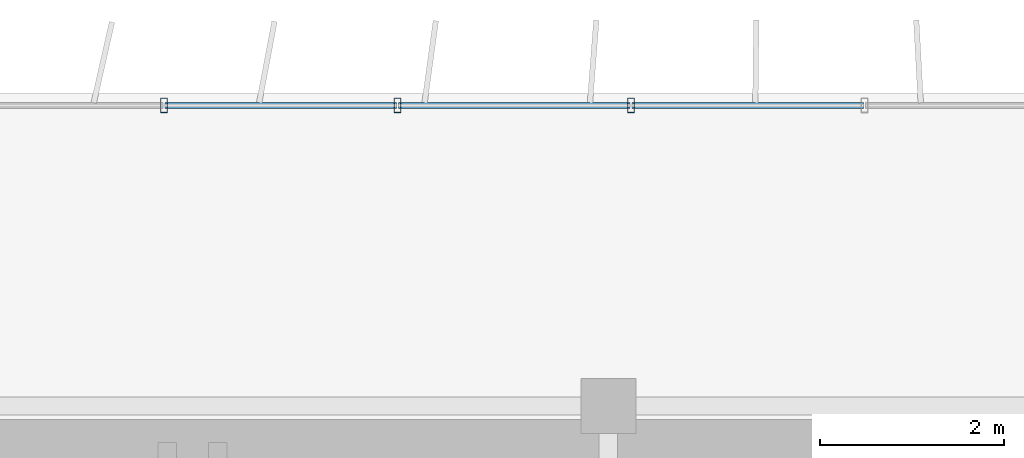
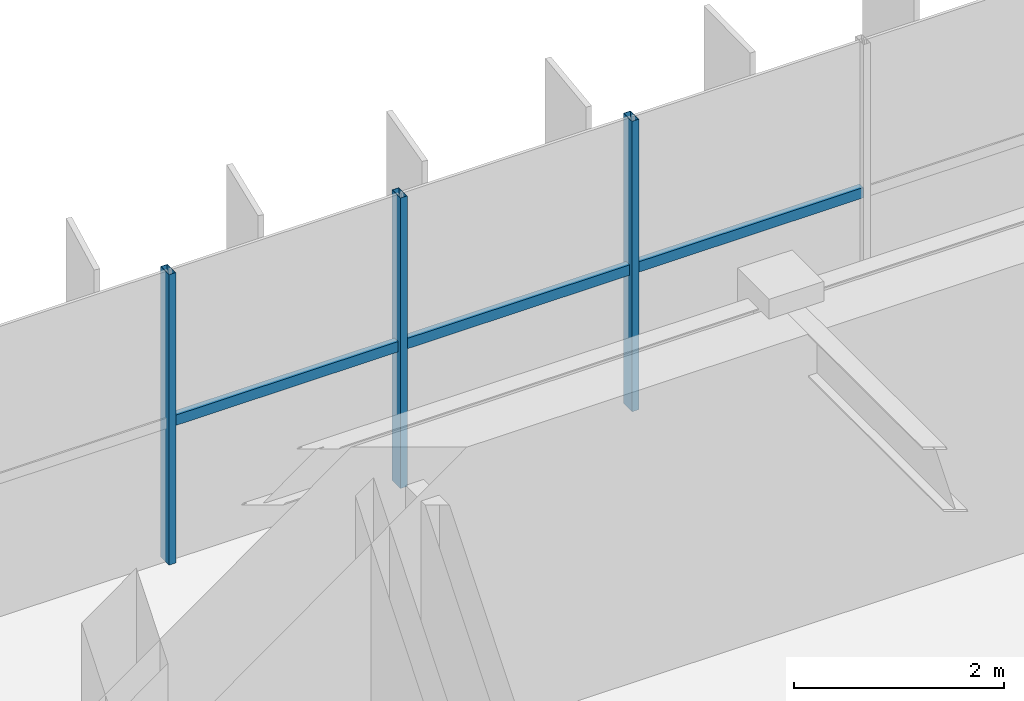
# One storey, part 8 of 21: 6 members, 1 element without a shape of its own.
"""IFC4 building model written with IfcOpenShell, lengths in metres."""

from ifc_helpers import new_model, si_unit, direction, frame, origin, origin_2d, place, context, subcontext, project, spatial, hollow_rectangle, extrude, source, transform, mapped, material, material_profile, profile_set, type_object, element, aggregate, save


model = new_model("IFC4")

# Units and contexts
model_context = context("Model", 3, precision=1e-05, world=origin(), true_north=direction((0.0, 1.0)))
body_context = subcontext(model_context, "Body", "Model", "MODEL_VIEW")
ifc_project = project(units=[si_unit("LENGTHUNIT", "METRE"), si_unit("AREAUNIT", "SQUARE_METRE"), si_unit("VOLUMEUNIT", "CUBIC_METRE"), si_unit("PLANEANGLEUNIT", "RADIAN"), si_unit("MASSUNIT", "GRAM", prefix="KILO")], contexts=[model_context])

# Site, building, storey
site_placement = place(None, origin())
site = spatial("IfcSite", under=ifc_project, at=site_placement, CompositionType="ELEMENT")
building_placement = place(site_placement, origin())
building = spatial("IfcBuilding", under=site, at=building_placement, Name="Trelvane Seafront Commons", CompositionType="ELEMENT")
storey_placement = place(building_placement, frame((0.0, 0.0, 252.300048828125)))
storey = spatial("IfcBuildingStorey", under=building, at=storey_placement, Name="L65", CompositionType="ELEMENT", Elevation=252.300048828125)

# Curtain wall, members
ifc_material = material(Name="Anodised pale-silver aluminium", Category="aluminium")
curtain_wall_type = type_object("IfcCurtainWallType", Name="ARCH-CW5-UPTOWER", PredefinedType="NOTDEFINED", material=ifc_material)
curtain_wall_placement = place(storey_placement, origin())
curtain_wall = element("IfcCurtainWall", 1, at=curtain_wall_placement, inside=storey, type_object=curtain_wall_type, Name="CW-L65-0109", PredefinedType="NOTDEFINED")
ifc_material_profile_1 = material_profile(ifc_material, hollow_rectangle(XDim=0.070068359375, YDim=0.1201171875, WallThickness=0.00390625, at=origin_2d()), Name="TRAN-70x120x4")
ifc_profile_set_1 = profile_set([ifc_material_profile_1], Name="Anodised pale-silver aluminium")
member_type_1 = type_object("IfcMemberType", Name="ARCH-CW-TRAN-120", PredefinedType="USERDEFINED", material=ifc_profile_set_1)
shared_shape_1 = source(origin(), body_context, "Body", "SweptSolid", [
    extrude(hollow_rectangle(XDim=0.070068359375, YDim=0.1201171875, WallThickness=0.00390625, at=origin_2d()), origin(), (0.0, 0.0, 1.0), 2.51708984375),
])
member_1_placement = place(storey_placement, frame((30.859130859375, 48.3701171875, 1.617919921875), z_axis=(1.0, 0.0, 0.0), x_axis=(0.0, 1.0, 0.0)))
member_1 = element("IfcMember", 2, at=member_1_placement, type_object=member_type_1, Name="CW-L65-0109-T06", ObjectType="TRANSOM", PredefinedType="USERDEFINED", context=body_context, shape_type="MappedRepresentation", body=[
    mapped(shared_shape_1, transform((0.0, 0.0, 0.0), x_axis=(1.0, 0.0, 0.0), y_axis=(0.0, 1.0, 0.0), z_axis=(0.0, 0.0, 1.0), scale=1.0)),
])
shared_shape_2 = source(origin(), body_context, "Body", "SweptSolid", [
    extrude(hollow_rectangle(XDim=0.070068359375, YDim=0.1201171875, WallThickness=0.00390625, at=origin_2d()), origin(), (0.0, 0.0, 1.0), 2.517333984375),
])
member_2_placement = place(storey_placement, frame((25.776611328125, 48.3701171875, 1.617919921875), z_axis=(1.0, 0.0, 0.0), x_axis=(0.0, 1.0, 0.0)))
member_2 = element("IfcMember", 3, at=member_2_placement, type_object=member_type_1, Name="CW-L65-0109-T04", ObjectType="TRANSOM", PredefinedType="USERDEFINED", context=body_context, shape_type="MappedRepresentation", body=[
    mapped(shared_shape_2, transform((0.0, 0.0, 0.0), x_axis=(1.0, 0.0, 0.0), y_axis=(0.0, 1.0, 0.0), z_axis=(0.0, 0.0, 1.0), scale=1.0)),
])
member_3_placement = place(storey_placement, frame((28.31787109375, 48.3701171875, 1.617919921875), z_axis=(1.0, 0.0, 0.0), x_axis=(0.0, 1.0, 0.0)))
member_3 = element("IfcMember", 4, at=member_3_placement, type_object=member_type_1, Name="CW-L65-0109-T05", ObjectType="TRANSOM", PredefinedType="USERDEFINED", context=body_context, shape_type="MappedRepresentation", body=[
    mapped(shared_shape_2, transform((0.0, 0.0, 0.0), x_axis=(1.0, 0.0, 0.0), y_axis=(0.0, 1.0, 0.0), z_axis=(0.0, 0.0, 1.0), scale=1.0)),
])
ifc_material_profile_2 = material_profile(ifc_material, hollow_rectangle(XDim=0.074951171875, YDim=0.159912109375, WallThickness=0.00390625, at=origin_2d()), Name="MULL-75x160x4")
ifc_profile_set_2 = profile_set([ifc_material_profile_2], Name="Anodised pale-silver aluminium")
member_type_2 = type_object("IfcMemberType", Name="ARCH-CW-MULL-160", PredefinedType="MULLION", material=ifc_profile_set_2)
shared_shape_3 = source(origin(), body_context, "Body", "SweptSolid", [
    extrude(hollow_rectangle(XDim=0.074951171875, YDim=0.159912109375, WallThickness=0.00390625, at=origin_2d()), origin(), (0.0, 0.0, 1.0), 3.369873046875),
])
member_4_placement = place(storey_placement, frame((25.7646484375, 48.3701171875, 0.0), z_axis=(0.0, 0.0, 1.0), x_axis=(1.0, 0.0, 0.0)))
member_4 = element("IfcMember", 5, at=member_4_placement, type_object=member_type_2, Name="CW-L65-0109-M04", PredefinedType="MULLION", context=body_context, shape_type="MappedRepresentation", body=[
    mapped(shared_shape_3, transform((0.0, 0.0, 0.0), x_axis=(1.0, 0.0, 0.0), y_axis=(0.0, 1.0, 0.0), z_axis=(0.0, 0.0, 1.0), scale=1.0)),
])
member_5_placement = place(storey_placement, frame((28.305908203125, 48.3701171875, 0.0), z_axis=(0.0, 0.0, 1.0), x_axis=(1.0, 0.0, 0.0)))
member_5 = element("IfcMember", 6, at=member_5_placement, type_object=member_type_2, Name="CW-L65-0109-M05", PredefinedType="MULLION", context=body_context, shape_type="MappedRepresentation", body=[
    mapped(shared_shape_3, transform((0.0, 0.0, 0.0), x_axis=(1.0, 0.0, 0.0), y_axis=(0.0, 1.0, 0.0), z_axis=(0.0, 0.0, 1.0), scale=1.0)),
])
member_6_placement = place(storey_placement, frame((30.84716796875, 48.3701171875, 0.0), z_axis=(0.0, 0.0, 1.0), x_axis=(1.0, 0.0, 0.0)))
member_6 = element("IfcMember", 7, at=member_6_placement, type_object=member_type_2, Name="CW-L65-0109-M06", PredefinedType="MULLION", context=body_context, shape_type="MappedRepresentation", body=[
    mapped(shared_shape_3, transform((0.0, 0.0, 0.0), x_axis=(1.0, 0.0, 0.0), y_axis=(0.0, 1.0, 0.0), z_axis=(0.0, 0.0, 1.0), scale=1.0)),
])
aggregate(curtain_wall, [member_4, member_5, member_6, member_2, member_3, member_1])

save(model, "model.ifc")
